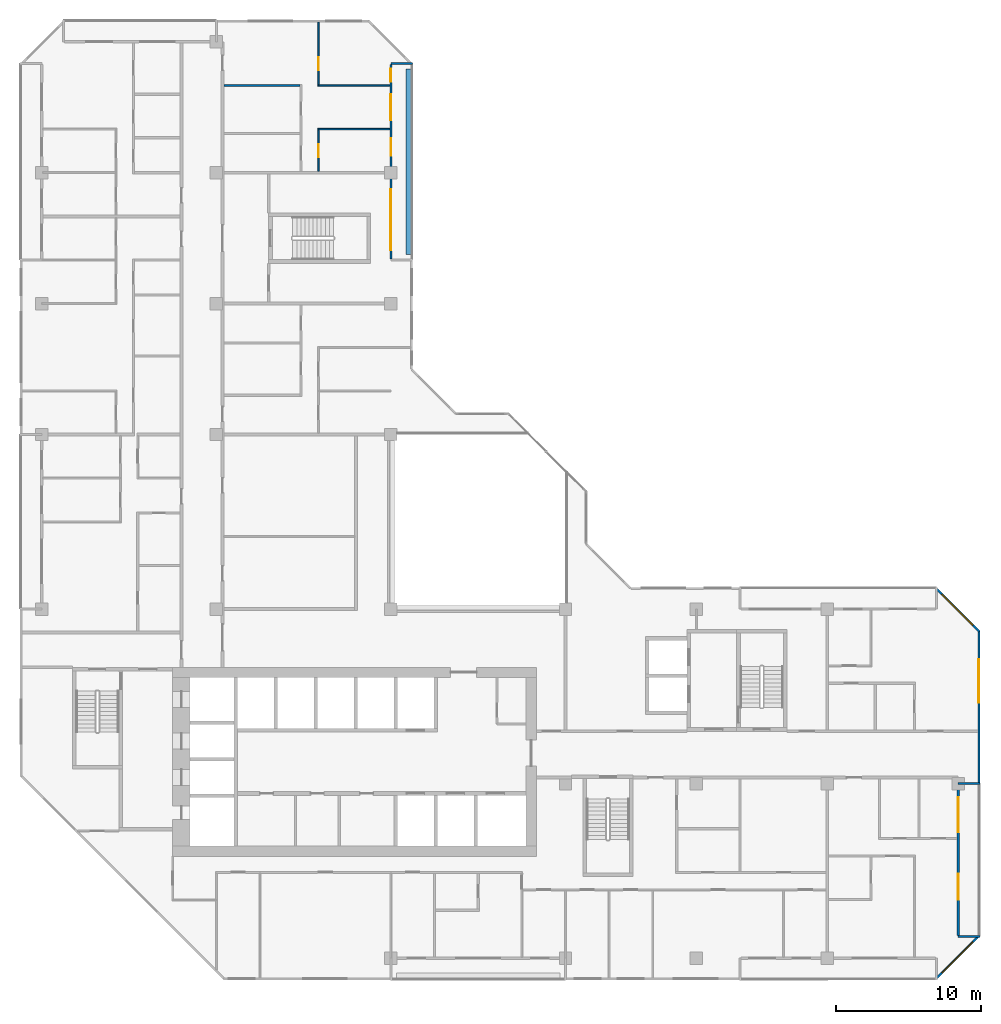
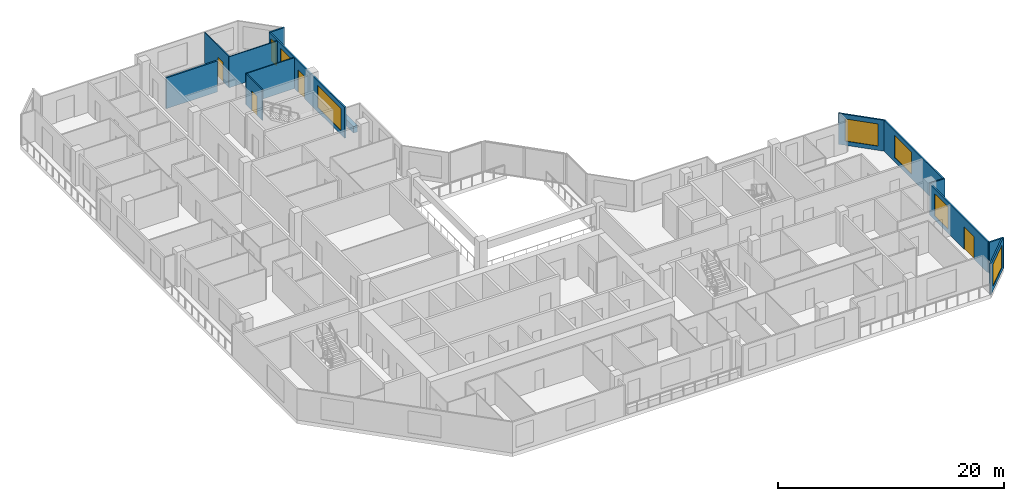
# One storey, part 11 of 14: 14 walls, 7 windows, 4 doors, 11 openings.
"""IFC4 building model written with IfcOpenShell, lengths in metres."""

from ifc_helpers import new_model, si_unit, direction, frame, frame_2d, origin, place, context, subcontext, project, spatial, rectangle, extrude, material, layer, layer_set, type_object, element, fill, save


model = new_model("IFC4")

# Units and contexts
model_context = context("Model", 3, precision=1e-05, world=origin(), true_north=direction((0.0, 1.0)))
body_context = subcontext(model_context, "Body", "Model", "MODEL_VIEW")
ifc_project = project(units=[si_unit("LENGTHUNIT", "METRE"), si_unit("AREAUNIT", "SQUARE_METRE"), si_unit("VOLUMEUNIT", "CUBIC_METRE"), si_unit("PLANEANGLEUNIT", "RADIAN"), si_unit("MASSUNIT", "GRAM", prefix="KILO")], contexts=[model_context])

# Site, building, storey
site_placement = place(None, origin())
site = spatial("IfcSite", under=ifc_project, at=site_placement, CompositionType="ELEMENT")
building_placement = place(site_placement, origin())
building = spatial("IfcBuilding", under=site, at=building_placement, Name="Chenar Terraces", CompositionType="ELEMENT")
storey_placement = place(building_placement, frame((0.0, 0.0, 237.89990234375)))
storey = spatial("IfcBuildingStorey", under=building, at=storey_placement, Name="L56", CompositionType="ELEMENT", Elevation=237.89990234375)

# Wall, opening, window
ifc_material_1 = material(Name="Aluminium framed glazing", Category="aluminium")
ifc_layer_1 = layer(ifc_material_1, 0.14990234375)
ifc_layer_set_1 = layer_set([ifc_layer_1], Name="Aluminium framed glazing")
wall_type_1 = type_object("IfcWallType", Name="Glazed flush facade wall 150", PredefinedType="SOLIDWALL", material=ifc_layer_set_1)
wall_1_placement = place(storey_placement, frame((64.425048828125, 12.074951171875, 0.0), z_axis=(0.0, 0.0, 1.0), x_axis=(0.0, 1.0, 0.0)))
wall_1 = element("IfcWall", 1, at=wall_1_placement, inside=storey, type_object=wall_type_1, Name="Glazed flush facade wall", PredefinedType="SOLIDWALL", context=body_context, shape_type="SweptSolid", body=[
    extrude(rectangle(XDim=10.425048828125, YDim=0.14990234375, at=frame_2d((5.21240234375, 0.0))), origin(), (0.0, 0.0, 1.0), 3.35009765625),
])
opening_1_placement = place(wall_1_placement, frame((5.47509765625, 0.0, 0.449951171875)))
opening_1 = element("IfcOpeningElement", 2, at=opening_1_placement, cuts=wall_1, Name="Opening W300x240", PredefinedType="OPENING", context=body_context, shape_type="SweptSolid", body=[
    extrude(rectangle(XDim=3.0, YDim=2.39990234375, at=frame_2d((1.5, 1.199951171875))), frame((0.0, 0.0849609375, 0.0), z_axis=(0.0, -1.0, 0.0), x_axis=(1.0, 0.0, 0.0)), (0.0, 0.0, 1.0), 0.169921875),
])
ifc_material_2 = material(Name="Low emissivity double glazing, aluminium frame", Category="aluminium")
window_type_1 = type_object("IfcWindowType", Name="Fixed light 3000 x 2400", PartitioningType="SINGLE_PANEL", PredefinedType="WINDOW", material=ifc_material_2)
window_1_placement = place(opening_1_placement, origin())
window_1 = element("IfcWindow", 3, at=window_1_placement, inside=storey, type_object=window_type_1, Name="Window", OverallHeight=2.39990234375, OverallWidth=3.0, PartitioningType="SINGLE_PANEL", PredefinedType="WINDOW", context=body_context, shape_type="SweptSolid", body=[
    extrude(rectangle(XDim=3.0, YDim=2.39990234375, at=frame_2d((1.5, 1.199951171875))), frame((0.0, 0.030029296875, 0.0), z_axis=(0.0, -1.0, 0.0), x_axis=(1.0, 0.0, 0.0)), (0.0, 0.0, 1.0), 0.06005859375),
])
fill(opening_1, window_1)

# Wall, openings, windows, door
ifc_material_3 = material(Name="Aluminium framed glazing", Category="aluminium")
ifc_layer_2 = layer(ifc_material_3, 0.14990234375)
ifc_layer_set_2 = layer_set([ifc_layer_2], Name="Aluminium framed glazing")
wall_type_2 = type_object("IfcWallType", Name="Glazed loggia back wall 150", PredefinedType="SOLIDWALL", material=ifc_layer_set_2)
wall_2_placement = place(storey_placement, frame((24.0, 48.074951171875, 0.0), z_axis=(0.0, 0.0, 1.0), x_axis=(0.0, 1.0, 0.0)))
wall_2 = element("IfcWall", 4, at=wall_2_placement, inside=storey, type_object=wall_type_2, Name="Glazed loggia back wall", PredefinedType="SOLIDWALL", context=body_context, shape_type="SweptSolid", body=[
    extrude(rectangle(XDim=13.35009765625, YDim=0.14990234375, at=frame_2d((6.675048828125, 0.0))), origin(), (0.0, 0.0, 1.0), 3.35009765625),
])
opening_2_placement = place(wall_2_placement, frame((0.60009765625, 0.0, 0.449951171875)))
opening_2 = element("IfcOpeningElement", 5, at=opening_2_placement, cuts=wall_2, Name="Opening W420x240", PredefinedType="OPENING", context=body_context, shape_type="SweptSolid", body=[
    extrude(rectangle(XDim=4.199951171875, YDim=2.39990234375, at=frame_2d((2.10009765625, 1.199951171875))), frame((0.0, 0.0849609375, 0.0), z_axis=(0.0, -1.0, 0.0), x_axis=(1.0, 0.0, 0.0)), (0.0, 0.0, 1.0), 0.169921875),
])
opening_3_placement = place(wall_2_placement, frame((7.08740234375, 0.0, 0.0)))
opening_3 = element("IfcOpeningElement", 6, at=opening_3_placement, cuts=wall_2, Name="Opening DL56-G2", PredefinedType="OPENING", context=body_context, shape_type="SweptSolid", body=[
    extrude(rectangle(XDim=1.199951171875, YDim=2.39990234375, at=frame_2d((0.60009765625, 1.199951171875))), frame((0.0, 0.0849609375, 0.0), z_axis=(0.0, -1.0, 0.0), x_axis=(1.0, 0.0, 0.0)), (0.0, 0.0, 1.0), 0.169921875),
])
opening_4_placement = place(wall_2_placement, frame((9.52490234375, 0.0, 0.449951171875)))
opening_4 = element("IfcOpeningElement", 7, at=opening_4_placement, cuts=wall_2, Name="Opening W180x240", PredefinedType="OPENING", context=body_context, shape_type="SweptSolid", body=[
    extrude(rectangle(XDim=1.800048828125, YDim=2.39990234375, at=frame_2d((0.89990234375, 1.199951171875))), frame((0.0, 0.0849609375, 0.0), z_axis=(0.0, -1.0, 0.0), x_axis=(1.0, 0.0, 0.0)), (0.0, 0.0, 1.0), 0.169921875),
])
opening_5_placement = place(wall_2_placement, frame((12.1875, 0.0, 0.449951171875)))
opening_5 = element("IfcOpeningElement", 8, at=opening_5_placement, cuts=wall_2, Name="Opening W90x240", PredefinedType="OPENING", context=body_context, shape_type="SweptSolid", body=[
    extrude(rectangle(XDim=0.89990234375, YDim=2.39990234375, at=frame_2d((0.449951171875, 1.199951171875))), frame((0.0, 0.0849609375, 0.0), z_axis=(0.0, -1.0, 0.0), x_axis=(1.0, 0.0, 0.0)), (0.0, 0.0, 1.0), 0.169921875),
])
ifc_material_4 = material(Name="Low emissivity double glazing, aluminium frame", Category="aluminium")
window_type_2 = type_object("IfcWindowType", Name="Fixed light 1800 x 2400", PartitioningType="SINGLE_PANEL", PredefinedType="WINDOW", material=ifc_material_4)
window_2_placement = place(opening_4_placement, origin())
window_2 = element("IfcWindow", 9, at=window_2_placement, inside=storey, type_object=window_type_2, Name="Window", OverallHeight=2.39990234375, OverallWidth=1.800048828125, PartitioningType="SINGLE_PANEL", PredefinedType="WINDOW", context=body_context, shape_type="SweptSolid", body=[
    extrude(rectangle(XDim=1.800048828125, YDim=2.39990234375, at=frame_2d((0.89990234375, 1.199951171875))), frame((0.0, 0.030029296875, 0.0), z_axis=(0.0, -1.0, 0.0), x_axis=(1.0, 0.0, 0.0)), (0.0, 0.0, 1.0), 0.06005859375),
])
fill(opening_4, window_2)
ifc_material_5 = material(Name="Low emissivity double glazing, aluminium frame", Category="aluminium")
window_type_3 = type_object("IfcWindowType", Name="Fixed light 4200 x 2400", PartitioningType="SINGLE_PANEL", PredefinedType="WINDOW", material=ifc_material_5)
window_3_placement = place(opening_2_placement, origin())
window_3 = element("IfcWindow", 10, at=window_3_placement, inside=storey, type_object=window_type_3, Name="Window", OverallHeight=2.39990234375, OverallWidth=4.199951171875, PartitioningType="SINGLE_PANEL", PredefinedType="WINDOW", context=body_context, shape_type="SweptSolid", body=[
    extrude(rectangle(XDim=4.199951171875, YDim=2.39990234375, at=frame_2d((2.10009765625, 1.199951171875))), frame((0.0, 0.030029296875, 0.0), z_axis=(0.0, -1.0, 0.0), x_axis=(1.0, 0.0, 0.0)), (0.0, 0.0, 1.0), 0.06005859375),
])
fill(opening_2, window_3)
ifc_material_6 = material(Name="Low emissivity double glazing, aluminium frame", Category="aluminium")
window_type_4 = type_object("IfcWindowType", Name="Fixed light 900 x 2400", PartitioningType="SINGLE_PANEL", PredefinedType="WINDOW", material=ifc_material_6)
window_4_placement = place(opening_5_placement, origin())
window_4 = element("IfcWindow", 11, at=window_4_placement, inside=storey, type_object=window_type_4, Name="Window", OverallHeight=2.39990234375, OverallWidth=0.89990234375, PartitioningType="SINGLE_PANEL", PredefinedType="WINDOW", context=body_context, shape_type="SweptSolid", body=[
    extrude(rectangle(XDim=0.89990234375, YDim=2.39990234375, at=frame_2d((0.449951171875, 1.199951171875))), frame((0.0, 0.030029296875, 0.0), z_axis=(0.0, -1.0, 0.0), x_axis=(1.0, 0.0, 0.0)), (0.0, 0.0, 1.0), 0.06005859375),
])
fill(opening_5, window_4)
ifc_material_7 = material(Name="Low emissivity double glazing, aluminium frame", Category="aluminium")
door_type_1 = type_object("IfcDoorType", Name="Loggia glazed double door 1200 x 2400", OperationType="DOUBLE_DOOR_SINGLE_SWING", PredefinedType="DOOR", material=ifc_material_7)
door_1_placement = place(opening_3_placement, frame((1.199951171875, 0.0, 0.0), z_axis=(0.0, 0.0, 1.0), x_axis=(-1.0, 0.0, 0.0)))
door_1 = element("IfcDoor", 12, at=door_1_placement, inside=storey, type_object=door_type_1, Name="Loggia glazed door", OperationType="DOUBLE_DOOR_SINGLE_SWING", OverallHeight=2.39990234375, OverallWidth=1.199951171875, PredefinedType="DOOR", context=body_context, shape_type="SweptSolid", body=[
    extrude(rectangle(XDim=1.199951171875, YDim=2.39990234375, at=frame_2d((0.60009765625, 1.199951171875))), frame((0.0, 0.02490234375, 0.0), z_axis=(0.0, -1.0, 0.0), x_axis=(1.0, 0.0, 0.0)), (0.0, 0.0, 1.0), 0.050048828125),
])
fill(opening_3, door_1)

# Wall, openings, window, door
wall_3_placement = place(storey_placement, frame((63.0, 1.574951171875, 0.0), z_axis=(0.0, 0.0, 1.0), x_axis=(0.0, 1.0, 0.0)))
wall_3 = element("IfcWall", 13, at=wall_3_placement, inside=storey, type_object=wall_type_2, Name="Glazed loggia back wall", PredefinedType="SOLIDWALL", context=body_context, shape_type="SweptSolid", body=[
    extrude(rectangle(XDim=10.35009765625, YDim=0.14990234375, at=frame_2d((5.175048828125, 0.0))), origin(), (0.0, 0.0, 1.0), 3.35009765625),
])
opening_6_placement = place(wall_3_placement, frame((2.425048828125, 0.0, 0.0)))
opening_6 = element("IfcOpeningElement", 14, at=opening_6_placement, cuts=wall_3, Name="Opening DL56-G8", PredefinedType="OPENING", context=body_context, shape_type="SweptSolid", body=[
    extrude(rectangle(XDim=1.800048828125, YDim=2.39990234375, at=frame_2d((0.89990234375, 1.199951171875))), frame((0.0, 0.0849609375, 0.0), z_axis=(0.0, -1.0, 0.0), x_axis=(1.0, 0.0, 0.0)), (0.0, 0.0, 1.0), 0.169921875),
])
opening_7_placement = place(wall_3_placement, frame((7.074951171875, 0.0, 0.449951171875)))
opening_7 = element("IfcOpeningElement", 15, at=opening_7_placement, cuts=wall_3, Name="Opening W240x240", PredefinedType="OPENING", context=body_context, shape_type="SweptSolid", body=[
    extrude(rectangle(XDim=2.39990234375, YDim=2.39990234375, at=frame_2d((1.199951171875, 1.199951171875))), frame((0.0, 0.0849609375, 0.0), z_axis=(0.0, -1.0, 0.0), x_axis=(1.0, 0.0, 0.0)), (0.0, 0.0, 1.0), 0.169921875),
])
ifc_material_8 = material(Name="Low emissivity double glazing, aluminium frame", Category="aluminium")
window_type_5 = type_object("IfcWindowType", Name="Fixed light 2400 x 2400", PartitioningType="SINGLE_PANEL", PredefinedType="WINDOW", material=ifc_material_8)
window_5_placement = place(opening_7_placement, origin())
window_5 = element("IfcWindow", 16, at=window_5_placement, inside=storey, type_object=window_type_5, Name="Window", OverallHeight=2.39990234375, OverallWidth=2.39990234375, PartitioningType="SINGLE_PANEL", PredefinedType="WINDOW", context=body_context, shape_type="SweptSolid", body=[
    extrude(rectangle(XDim=2.39990234375, YDim=2.39990234375, at=frame_2d((1.199951171875, 1.199951171875))), frame((0.0, 0.030029296875, 0.0), z_axis=(0.0, -1.0, 0.0), x_axis=(1.0, 0.0, 0.0)), (0.0, 0.0, 1.0), 0.06005859375),
])
fill(opening_7, window_5)
ifc_material_9 = material(Name="Low emissivity double glazing, aluminium frame", Category="aluminium")
door_type_2 = type_object("IfcDoorType", Name="Loggia glazed double door 1800 x 2400", OperationType="DOUBLE_DOOR_SINGLE_SWING", PredefinedType="DOOR", material=ifc_material_9)
door_2_placement = place(opening_6_placement, frame((1.800048828125, 0.0, 0.0), z_axis=(0.0, 0.0, 1.0), x_axis=(-1.0, 0.0, 0.0)))
door_2 = element("IfcDoor", 17, at=door_2_placement, inside=storey, type_object=door_type_2, Name="Loggia glazed door", OperationType="DOUBLE_DOOR_SINGLE_SWING", OverallHeight=2.39990234375, OverallWidth=1.800048828125, PredefinedType="DOOR", context=body_context, shape_type="SweptSolid", body=[
    extrude(rectangle(XDim=1.800048828125, YDim=2.39990234375, at=frame_2d((0.89990234375, 1.199951171875))), frame((0.0, 0.02490234375, 0.0), z_axis=(0.0, -1.0, 0.0), x_axis=(1.0, 0.0, 0.0)), (0.0, 0.0, 1.0), 0.050048828125),
])
fill(opening_6, door_2)

# Walls
ifc_material_10 = material(Name="Gypsum board on steel studs", Category="steel")
ifc_layer_3 = layer(ifc_material_10, 0.10009765625)
ifc_layer_set_3 = layer_set([ifc_layer_3], Name="Gypsum board on steel studs")
wall_type_3 = type_object("IfcWallType", Name="Gypsum partition 100", PredefinedType="PARTITIONING", material=ifc_layer_set_3)
for number, where, z_axis, x_axis, name in (
    (18, (18.97509765625, 57.0, 0.0), (0.0, 0.0, 1.0), (1.0, 0.0, 0.0), "Partition L56-051"),
    (19, (18.97509765625, 60.0, 0.0), (0.0, 0.0, 1.0), (1.0, 0.0, 0.0), "Partition L56-052"),
):
    element("IfcWall", number, at=place(storey_placement, frame(where, z_axis=z_axis, x_axis=x_axis)), inside=storey, type_object=wall_type_3, Name=name, PredefinedType="PARTITIONING", context=body_context, shape_type="SweptSolid", body=[
        extrude(rectangle(XDim=4.950927734375, YDim=0.10009765625, at=frame_2d((2.4755859375, 0.0))), origin(), (0.0, 0.0, 1.0), 3.35009765625),
    ])

# Wall, opening, door
wall_4_placement = place(storey_placement, frame((19.02490234375, 54.10009765625, 0.0), z_axis=(0.0, 0.0, 1.0), x_axis=(0.0, 1.0, 0.0)))
wall_4 = element("IfcWall", 20, at=wall_4_placement, inside=storey, type_object=wall_type_3, Name="Partition L56-054", PredefinedType="PARTITIONING", context=body_context, shape_type="SweptSolid", body=[
    extrude(rectangle(XDim=2.849853515625, YDim=0.10009765625, at=frame_2d((1.4248046875, 0.0))), origin(), (0.0, 0.0, 1.0), 3.35009765625),
])
opening_8_placement = place(wall_4_placement, frame((0.949951171875, 0.0, 0.0)))
opening_8 = element("IfcOpeningElement", 21, at=opening_8_placement, cuts=wall_4, Name="Opening DL56-19", PredefinedType="OPENING", context=body_context, shape_type="SweptSolid", body=[
    extrude(rectangle(XDim=0.89990234375, YDim=2.10009765625, at=frame_2d((0.449951171875, 1.050048828125))), frame((0.0, 0.06005859375, 0.0), z_axis=(0.0, -1.0, 0.0), x_axis=(1.0, 0.0, 0.0)), (0.0, 0.0, 1.0), 0.1201171875),
])
ifc_material_11 = material(Name="Veneered timber door leaf", Category="wood")
door_type_3 = type_object("IfcDoorType", Name="Door 900 x 2100", OperationType="SINGLE_SWING_LEFT", PredefinedType="DOOR", material=ifc_material_11)
door_3_placement = place(opening_8_placement, frame((0.89990234375, 0.0, 0.0), z_axis=(0.0, 0.0, 1.0), x_axis=(-1.0, 0.0, 0.0)))
door_3 = element("IfcDoor", 22, at=door_3_placement, inside=storey, type_object=door_type_3, Name="Door DL56-19", OperationType="SINGLE_SWING_LEFT", OverallHeight=2.10009765625, OverallWidth=0.89990234375, PredefinedType="DOOR", context=body_context, shape_type="SweptSolid", body=[
    extrude(rectangle(XDim=0.89990234375, YDim=2.10009765625, at=frame_2d((0.449951171875, 1.050048828125))), frame((0.0, 0.02490234375, 0.0), z_axis=(0.0, -1.0, 0.0), x_axis=(1.0, 0.0, 0.0)), (0.0, 0.0, 1.0), 0.050048828125),
])
fill(opening_8, door_3)

wall_5_placement = place(storey_placement, frame((19.02490234375, 60.050048828125, 0.0), z_axis=(0.0, 0.0, 1.0), x_axis=(0.0, 1.0, 0.0)))
wall_5 = element("IfcWall", 23, at=wall_5_placement, inside=storey, type_object=wall_type_3, Name="Partition L56-055", PredefinedType="PARTITIONING", context=body_context, shape_type="SweptSolid", body=[
    extrude(rectangle(XDim=4.301025390625, YDim=0.10009765625, at=frame_2d((2.150390625, 0.0))), origin(), (0.0, 0.0, 1.0), 3.35009765625),
])
opening_9_placement = place(wall_5_placement, frame((1.0, 0.0, 0.0)))
opening_9 = element("IfcOpeningElement", 24, at=opening_9_placement, cuts=wall_5, Name="Opening DL56-20", PredefinedType="OPENING", context=body_context, shape_type="SweptSolid", body=[
    extrude(rectangle(XDim=0.89990234375, YDim=2.10009765625, at=frame_2d((0.449951171875, 1.050048828125))), frame((0.0, 0.06005859375, 0.0), z_axis=(0.0, -1.0, 0.0), x_axis=(1.0, 0.0, 0.0)), (0.0, 0.0, 1.0), 0.1201171875),
])
door_4_placement = place(opening_9_placement, frame((0.89990234375, 0.0, 0.0), z_axis=(0.0, 0.0, 1.0), x_axis=(-1.0, 0.0, 0.0)))
door_4 = element("IfcDoor", 25, at=door_4_placement, inside=storey, type_object=door_type_3, Name="Door DL56-20", OperationType="SINGLE_SWING_RIGHT", OverallHeight=2.10009765625, OverallWidth=0.89990234375, PredefinedType="DOOR", context=body_context, shape_type="SweptSolid", body=[
    extrude(rectangle(XDim=0.89990234375, YDim=2.10009765625, at=frame_2d((0.449951171875, 1.050048828125))), frame((0.0, 0.02490234375, 0.0), z_axis=(0.0, -1.0, 0.0), x_axis=(1.0, 0.0, 0.0)), (0.0, 0.0, 1.0), 0.050048828125),
])
fill(opening_9, door_4)

# Walls
ifc_material_12 = material(Name="Terracotta cladding on insulated backing", Category="masonry")
ifc_layer_4 = layer(ifc_material_12, 0.14990234375)
ifc_layer_set_4 = layer_set([ifc_layer_4], Name="Terracotta cladding on insulated backing")
wall_type_4 = type_object("IfcWallType", Name="Loggia return wall 150", PredefinedType="SOLIDWALL", material=ifc_layer_set_4)
for number, where, z_axis, x_axis, name in (
    (26, (25.5, 61.5, 0.0), (0.0, 0.0, 1.0), (-1.0, 0.0, 0.0), "Loggia return wall"),
    (27, (64.5, 1.5, 0.0), (0.0, 0.0, 1.0), (-1.0, 0.0, 0.0), "Loggia return wall"),
    (28, (64.5, 12.0, 0.0), (0.0, 0.0, 1.0), (-1.0, 0.0, 0.0), "Loggia return wall"),
):
    element("IfcWall", number, at=place(storey_placement, frame(where, z_axis=z_axis, x_axis=x_axis)), inside=storey, type_object=wall_type_4, Name=name, PredefinedType="SOLIDWALL", context=body_context, shape_type="SweptSolid", body=[
        extrude(rectangle(XDim=1.5, YDim=0.14990234375, at=frame_2d((0.75, 0.0))), origin(), (0.0, 0.0, 1.0), 3.35009765625),
    ])

# Wall, opening, window
ifc_material_13 = material(Name="Terracotta cladding on insulated backing", Category="masonry")
ifc_layer_5 = layer(ifc_material_13, 0.14990234375)
ifc_layer_set_5 = layer_set([ifc_layer_5], Name="Terracotta cladding on insulated backing")
wall_type_5 = type_object("IfcWallType", Name="Terracotta rainscreen wall 150", PredefinedType="SOLIDWALL", material=ifc_layer_set_5)
wall_6_placement = place(storey_placement, frame((61.447021484375, -1.447021484375, 0.0), z_axis=(0.0, 0.0, 1.0), x_axis=(0.707106781187, 0.707106781187, 0.0)))
wall_6 = element("IfcWall", 29, at=wall_6_placement, inside=storey, type_object=wall_type_5, Name="Terracotta rainscreen wall", PredefinedType="SOLIDWALL", context=body_context, shape_type="SweptSolid", body=[
    extrude(rectangle(XDim=4.24267578125, YDim=0.14990234375, at=frame_2d((2.121337890625, 0.0))), origin(), (0.0, 0.0, 1.0), 3.35009765625),
])
opening_10_placement = place(wall_6_placement, frame((0.621337890625, 0.0, 0.449951171875)))
opening_10 = element("IfcOpeningElement", 30, at=opening_10_placement, cuts=wall_6, Name="Opening W300x240", PredefinedType="OPENING", context=body_context, shape_type="SweptSolid", body=[
    extrude(rectangle(XDim=3.0, YDim=2.39990234375, at=frame_2d((1.5, 1.199951171875))), frame((0.0, 0.0849609375, 0.0), z_axis=(0.0, -1.0, 0.0), x_axis=(1.0, 0.0, 0.0)), (0.0, 0.0, 1.0), 0.169921875),
])
window_6_placement = place(opening_10_placement, origin())
window_6 = element("IfcWindow", 31, at=window_6_placement, inside=storey, type_object=window_type_1, Name="Window", OverallHeight=2.39990234375, OverallWidth=3.0, PartitioningType="SINGLE_PANEL", PredefinedType="WINDOW", context=body_context, shape_type="SweptSolid", body=[
    extrude(rectangle(XDim=3.0, YDim=2.39990234375, at=frame_2d((1.5, 1.199951171875))), frame((0.0, 0.030029296875, 0.0), z_axis=(0.0, -1.0, 0.0), x_axis=(1.0, 0.0, 0.0)), (0.0, 0.0, 1.0), 0.06005859375),
])
fill(opening_10, window_6)

wall_7_placement = place(storey_placement, frame((64.447021484375, 22.447021484375, 0.0), z_axis=(0.0, 0.0, 1.0), x_axis=(-0.707106781187, 0.707106781187, 0.0)))
wall_7 = element("IfcWall", 32, at=wall_7_placement, inside=storey, type_object=wall_type_5, Name="Terracotta rainscreen wall", PredefinedType="SOLIDWALL", context=body_context, shape_type="SweptSolid", body=[
    extrude(rectangle(XDim=4.24267578125, YDim=0.14990234375, at=frame_2d((2.121337890625, 0.0))), origin(), (0.0, 0.0, 1.0), 3.35009765625),
])
opening_11_placement = place(wall_7_placement, frame((0.621337890625, 0.0, 0.449951171875)))
opening_11 = element("IfcOpeningElement", 33, at=opening_11_placement, cuts=wall_7, Name="Opening W300x240", PredefinedType="OPENING", context=body_context, shape_type="SweptSolid", body=[
    extrude(rectangle(XDim=3.0, YDim=2.39990234375, at=frame_2d((1.5, 1.199951171875))), frame((0.0, 0.0849609375, 0.0), z_axis=(0.0, -1.0, 0.0), x_axis=(1.0, 0.0, 0.0)), (0.0, 0.0, 1.0), 0.169921875),
])
window_7_placement = place(opening_11_placement, origin())
window_7 = element("IfcWindow", 34, at=window_7_placement, inside=storey, type_object=window_type_1, Name="Window", OverallHeight=2.39990234375, OverallWidth=3.0, PartitioningType="SINGLE_PANEL", PredefinedType="WINDOW", context=body_context, shape_type="SweptSolid", body=[
    extrude(rectangle(XDim=3.0, YDim=2.39990234375, at=frame_2d((1.5, 1.199951171875))), frame((0.0, 0.030029296875, 0.0), z_axis=(0.0, -1.0, 0.0), x_axis=(1.0, 0.0, 0.0)), (0.0, 0.0, 1.0), 0.06005859375),
])
fill(opening_11, window_7)

# Walls
ifc_material_14 = material(Name="GRP planter trough")
ifc_layer_6 = layer(ifc_material_14, 0.39990234375)
ifc_layer_set_6 = layer_set([ifc_layer_6], Name="GRP planter trough")
wall_type_6 = type_object("IfcWallType", Name="Vertical greenery planter 400", PredefinedType="SOLIDWALL", material=ifc_layer_set_6)
wall_8_placement = place(storey_placement, frame((25.22900390625, 48.375, 0.0), z_axis=(0.0, 0.0, 1.0), x_axis=(0.0, 1.0, 0.0)))
element("IfcWall", 35, at=wall_8_placement, inside=storey, type_object=wall_type_6, Name="Vertical greenery planter", PredefinedType="SOLIDWALL", context=body_context, shape_type="SweptSolid", body=[
    extrude(rectangle(XDim=12.75, YDim=0.39990234375, at=frame_2d((6.375, 0.0))), origin(), (0.0, 0.0, 1.0), 0.7001953125),
])
ifc_material_15 = material(Name="Moisture-resistant gypsum board on steel studs", Category="steel")
ifc_layer_7 = layer(ifc_material_15, 0.14990234375)
ifc_layer_set_7 = layer_set([ifc_layer_7], Name="Moisture-resistant gypsum board on steel studs")
wall_type_7 = type_object("IfcWallType", Name="Wet-room partition 150", PredefinedType="PARTITIONING", material=ifc_layer_set_7)
wall_9_placement = place(storey_placement, frame((12.52490234375, 60.0, 0.0), z_axis=(0.0, 0.0, 1.0), x_axis=(1.0, 0.0, 0.0)))
element("IfcWall", 36, at=wall_9_placement, inside=storey, type_object=wall_type_7, Name="Partition L56-045", PredefinedType="PARTITIONING", context=body_context, shape_type="SweptSolid", body=[
    extrude(rectangle(XDim=5.22509765625, YDim=0.14990234375, at=frame_2d((2.612548828125, 0.0))), origin(), (0.0, 0.0, 1.0), 3.35009765625),
])

save(model, "model.ifc")
